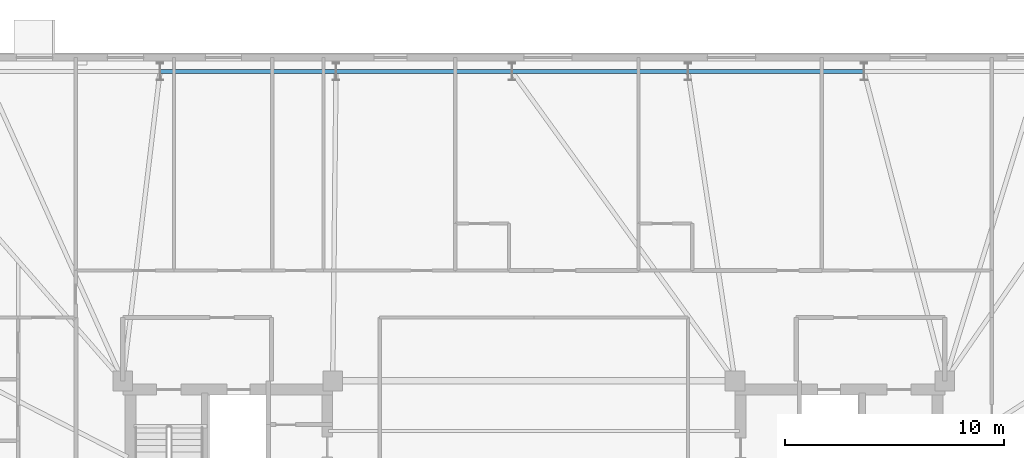
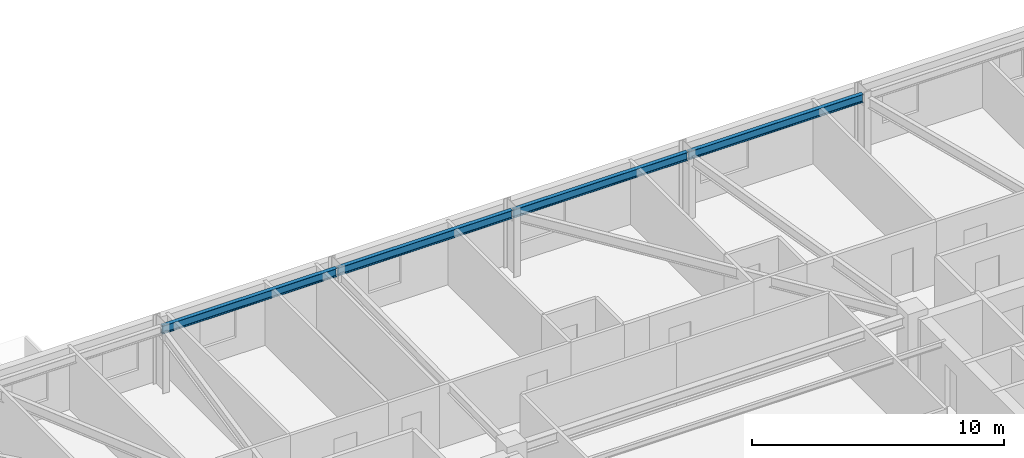
# One storey, part 8 of 17: 4 beams.
"""IFC4 building model written with IfcOpenShell, lengths in metres."""

from ifc_helpers import new_model, si_unit, direction, frame, origin, origin_2d, place, context, subcontext, project, spatial, i_section, extrude, material, material_profile, profile_set, type_object, element, save


model = new_model("IFC4")

# Units and contexts
model_context = context("Model", 3, precision=1e-05, world=origin(), true_north=direction((0.0, 1.0)))
body_context = subcontext(model_context, "Body", "Model", "MODEL_VIEW")
ifc_project = project(units=[si_unit("LENGTHUNIT", "METRE"), si_unit("AREAUNIT", "SQUARE_METRE"), si_unit("VOLUMEUNIT", "CUBIC_METRE"), si_unit("PLANEANGLEUNIT", "RADIAN"), si_unit("MASSUNIT", "GRAM", prefix="KILO")], contexts=[model_context])

# Site, building, storey
site_placement = place(None, origin())
site = spatial("IfcSite", under=ifc_project, at=site_placement, CompositionType="ELEMENT")
building_placement = place(site_placement, origin())
building = spatial("IfcBuilding", under=site, at=building_placement, Name="Qobustan Lattice House", CompositionType="ELEMENT")
storey_placement = place(building_placement, frame((0.0, 0.0, 164.5)))
storey = spatial("IfcBuildingStorey", under=building, at=storey_placement, Name="L46", CompositionType="ELEMENT", Elevation=164.5)

# Beams
ifc_material = material(Name="Steel S355", Category="steel")
ifc_material_profile = material_profile(ifc_material, i_section(OverallWidth=0.179931640625, OverallDepth=0.39990234375, WebThickness=0.008544921875, FlangeThickness=0.013427734375, FilletRadius=0.02099609375, at=origin_2d()), Name="IPE400")
ifc_profile_set = profile_set([ifc_material_profile], Name="Steel S355")
beam_type = type_object("IfcBeamType", Name="BM-SPD-IPE400", PredefinedType="SPANDREL", material=ifc_profile_set)
for number, where, z_axis, x_axis, name in (
    (1, (15.074951171875, 19.75, 2.840087890625), (-1.0, 0.0, 0.0), (0.0, -1.0, 0.0), "L46 perimeter spandrel N2-N3"),
    (2, (7.02490234375, 19.75, 2.840087890625), (-1.0, 0.0, 0.0), (0.0, -1.0, 0.0), "L46 perimeter spandrel N3-N4"),
    (3, (-1.02490234375, 19.75, 2.840087890625), (-1.0, 0.0, 0.0), (0.0, -1.0, 0.0), "L46 perimeter spandrel N4-N5"),
    (4, (-9.074951171875, 19.75, 2.840087890625), (-1.0, 0.0, 0.0), (0.0, -1.0, 0.0), "L46 perimeter spandrel N5-N6"),
):
    element("IfcBeam", number, at=place(storey_placement, frame(where, z_axis=z_axis, x_axis=x_axis)), inside=storey, type_object=beam_type, Name=name, PredefinedType="SPANDREL", context=body_context, shape_type="SweptSolid", body=[
        extrude(i_section(OverallWidth=0.179931640625, OverallDepth=0.39990234375, WebThickness=0.008544921875, FlangeThickness=0.013427734375, FilletRadius=0.02099609375, at=origin_2d()), origin(), (0.0, 0.0, 1.0), 8.0),
    ])

save(model, "model.ifc")
